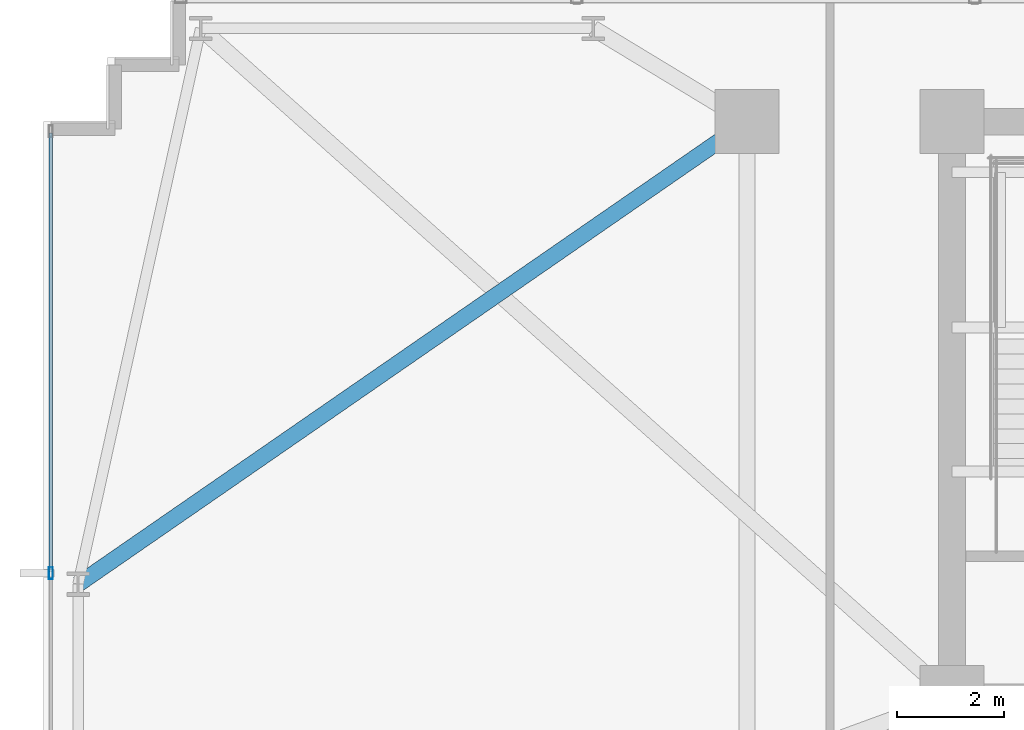
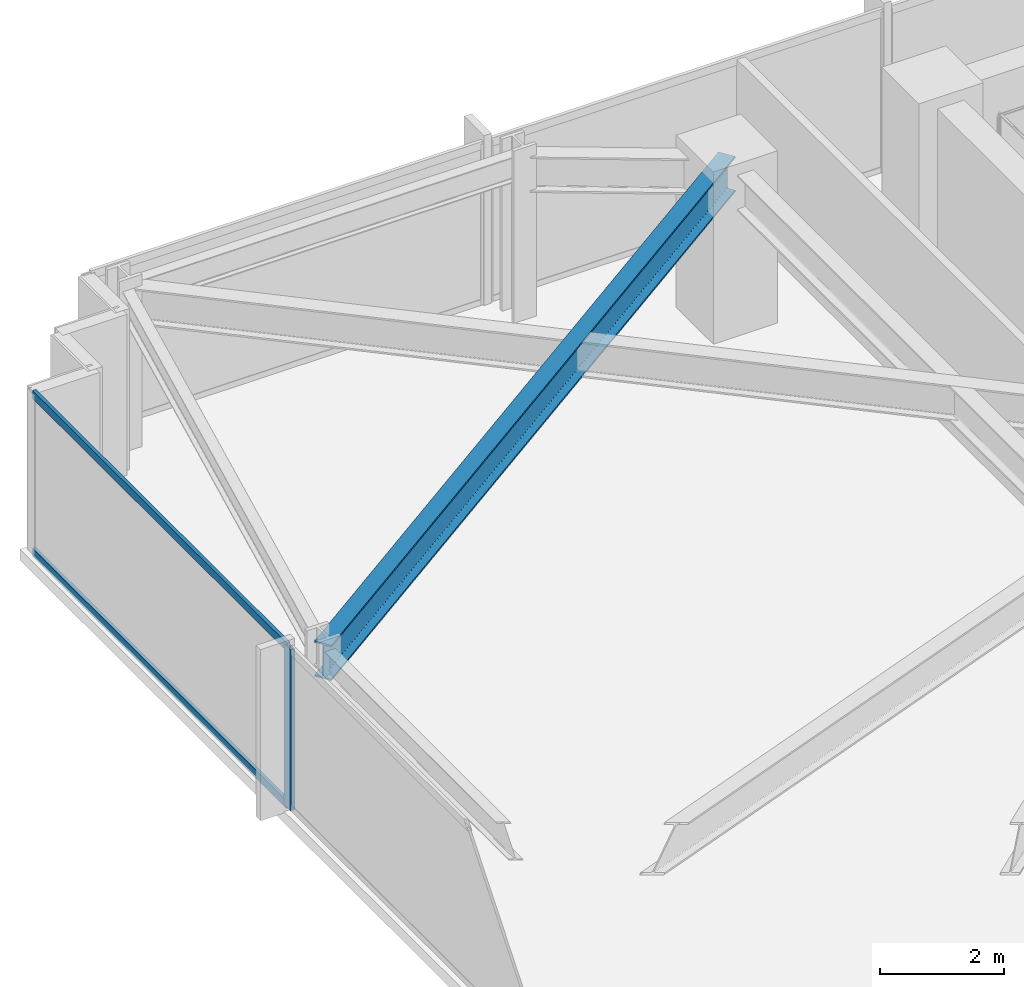
# One storey, part 9 of 32: 3 members, 1 beam, 1 element without a shape of its own.
"""IFC4 building model written with IfcOpenShell, lengths in metres."""

from ifc_helpers import new_model, si_unit, direction, frame, origin, origin_2d, place, context, subcontext, project, spatial, hollow_rectangle, i_section, extrude, material, material_profile, profile_set, type_object, element, aggregate, save


model = new_model("IFC4")

# Units and contexts
model_context = context("Model", 3, precision=1e-05, world=origin(), true_north=direction((0.0, 1.0)))
body_context = subcontext(model_context, "Body", "Model", "MODEL_VIEW")
ifc_project = project(units=[si_unit("LENGTHUNIT", "METRE"), si_unit("AREAUNIT", "SQUARE_METRE"), si_unit("VOLUMEUNIT", "CUBIC_METRE"), si_unit("PLANEANGLEUNIT", "RADIAN"), si_unit("MASSUNIT", "GRAM", prefix="KILO")], contexts=[model_context])

# Site, building, storey
site_placement = place(None, origin())
site = spatial("IfcSite", under=ifc_project, at=site_placement, CompositionType="ELEMENT")
building_placement = place(site_placement, origin())
building = spatial("IfcBuilding", under=site, at=building_placement, Name="Yelkora Congress Tower", CompositionType="ELEMENT")
storey_placement = place(building_placement, frame((0.0, 0.0, 40.60009765625)))
storey = spatial("IfcBuildingStorey", under=building, at=storey_placement, Name="L09", CompositionType="ELEMENT", Elevation=40.60009765625)

# Beam
ifc_material_1 = material(Name="Steel S355J2", Category="steel")
ifc_material_profile_1 = material_profile(ifc_material_1, i_section(OverallWidth=0.300048828125, OverallDepth=0.699951171875, WebThickness=0.01708984375, FlangeThickness=0.031982421875, FilletRadius=0.027099609375, at=origin_2d()), Name="HEB 700")
ifc_profile_set_1 = profile_set([ifc_material_profile_1], Name="Steel S355J2")
beam_type = type_object("IfcBeamType", Name="BM-GIRD-HEB700", PredefinedType="BEAM", material=ifc_profile_set_1)
beam_placement = place(storey_placement, frame((6.64990234375, 37.52490234375, 2.829833984375), z_axis=(0.822604454175, 0.568614027238, 0.0), x_axis=(-0.568614027238, 0.822604454175, 0.0)))
element("IfcBeam", 1, at=beam_placement, inside=storey, type_object=beam_type, Name="L09 Primary Frame Girder W03", PredefinedType="BEAM", context=body_context, shape_type="SweptSolid", body=[
    extrude(i_section(OverallWidth=0.300048828125, OverallDepth=0.699951171875, WebThickness=0.01708984375, FlangeThickness=0.031982421875, FilletRadius=0.027099609375, at=origin_2d()), origin(), (0.0, 0.0, 1.0), 15.256591796875),
])

# Curtain wall, members
ifc_material_2 = material(Name="Anodised aluminium and insulated glass", Category="aluminium")
curtain_wall_type = type_object("IfcCurtainWallType", Name="CW-SYS-B1", PredefinedType="NOTDEFINED", material=ifc_material_2)
curtain_wall_placement = place(storey_placement, origin())
curtain_wall = element("IfcCurtainWall", 2, at=curtain_wall_placement, inside=storey, type_object=curtain_wall_type, Name="L09 Unitised Curtain Wall 5", PredefinedType="NOTDEFINED")
ifc_material_3 = material(Name="Anodised aluminium 6063-T6", Category="aluminium")
ifc_material_profile_2 = material_profile(ifc_material_3, hollow_rectangle(XDim=0.074951171875, YDim=0.219970703125, WallThickness=0.0048828125, at=origin_2d()), Name="ALU 75x220x5")
ifc_profile_set_2 = profile_set([ifc_material_profile_2], Name="Anodised aluminium 6063-T6")
member_type_1 = type_object("IfcMemberType", Name="MEM-ML-B1", PredefinedType="MULLION", material=ifc_profile_set_2)
member_1_placement = place(storey_placement, frame((6.139892578125, 37.72998046875, 0.0), z_axis=(0.0, 0.0, 1.0), x_axis=(-1.0, 0.0, 0.0)))
member_1 = element("IfcMember", 3, at=member_1_placement, type_object=member_type_1, Name="CW-B1 mullion 4", PredefinedType="MULLION", context=body_context, shape_type="SweptSolid", body=[
    extrude(hollow_rectangle(XDim=0.074951171875, YDim=0.219970703125, WallThickness=0.0048828125, at=origin_2d()), origin(), (0.0, 0.0, 1.0), 3.179931640625),
])
ifc_material_profile_3 = material_profile(ifc_material_3, hollow_rectangle(XDim=0.06494140625, YDim=0.159912109375, WallThickness=0.00390625, at=origin_2d()), Name="ALU 65x160x4")
ifc_profile_set_3 = profile_set([ifc_material_profile_3], Name="Anodised aluminium 6063-T6")
member_type_2 = type_object("IfcMemberType", Name="MEM-TR-B1", PredefinedType="USERDEFINED", material=ifc_profile_set_3)
member_2_placement = place(storey_placement, frame((6.139892578125, 37.767578125, 0.032470703125), z_axis=(0.0, 1.0, 0.0), x_axis=(-1.0, 0.0, 0.0)))
member_2 = element("IfcMember", 4, at=member_2_placement, type_object=member_type_2, Name="CW-B1 transom 4.1", ObjectType="TRANSOM", PredefinedType="USERDEFINED", context=body_context, shape_type="SweptSolid", body=[
    extrude(hollow_rectangle(XDim=0.06494140625, YDim=0.159912109375, WallThickness=0.00390625, at=origin_2d()), origin(), (0.0, 0.0, 1.0), 8.217529296875),
])
member_3_placement = place(storey_placement, frame((6.139892578125, 37.767578125, 3.1474609375), z_axis=(0.0, 1.0, 0.0), x_axis=(-1.0, 0.0, 0.0)))
member_3 = element("IfcMember", 5, at=member_3_placement, type_object=member_type_2, Name="CW-B1 transom 4.2", ObjectType="TRANSOM", PredefinedType="USERDEFINED", context=body_context, shape_type="SweptSolid", body=[
    extrude(hollow_rectangle(XDim=0.06494140625, YDim=0.159912109375, WallThickness=0.00390625, at=origin_2d()), origin(), (0.0, 0.0, 1.0), 8.217529296875),
])
aggregate(curtain_wall, [member_1, member_2, member_3])

save(model, "model.ifc")
